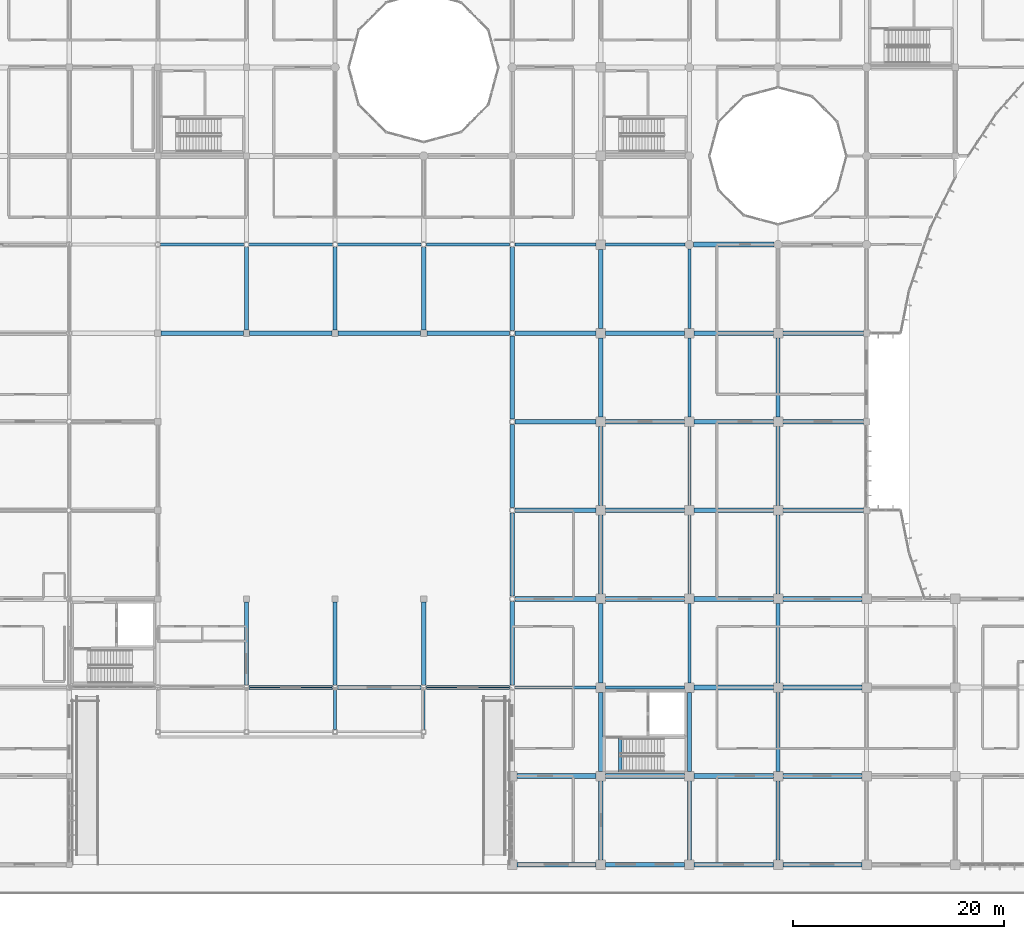
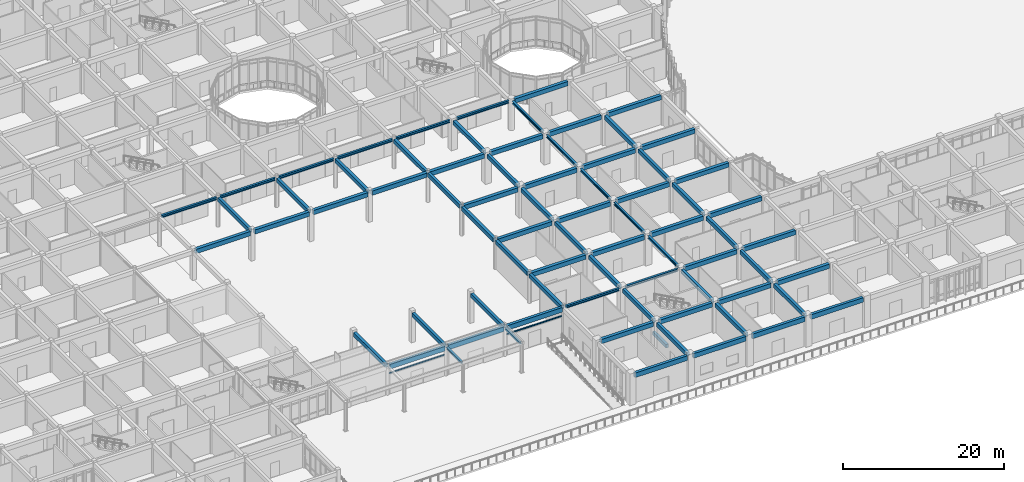
# One storey, part 19 of 138: 78 beams.
"""IFC4 building model written with IfcOpenShell, lengths in metres."""

from ifc_helpers import new_model, si_unit, direction, frame, origin, origin_2d, place, context, subcontext, project, spatial, rectangle, i_section, extrude, material, material_profile, profile_set, type_object, element, save


model = new_model("IFC4")

# Units and contexts
model_context = context("Model", 3, precision=1e-05, world=origin(), true_north=direction((0.0, 1.0)))
body_context = subcontext(model_context, "Body", "Model", "MODEL_VIEW")
ifc_project = project(units=[si_unit("LENGTHUNIT", "METRE"), si_unit("AREAUNIT", "SQUARE_METRE"), si_unit("VOLUMEUNIT", "CUBIC_METRE"), si_unit("PLANEANGLEUNIT", "RADIAN"), si_unit("MASSUNIT", "GRAM", prefix="KILO")], contexts=[model_context])

# Site, building, storey
site_placement = place(None, origin())
site = spatial("IfcSite", under=ifc_project, at=site_placement, CompositionType="ELEMENT")
building_placement = place(site_placement, origin())
building = spatial("IfcBuilding", under=site, at=building_placement, Name="Bramfleet General Hospital", CompositionType="ELEMENT")
storey_placement = place(building_placement, origin())
storey = spatial("IfcBuildingStorey", under=building, at=storey_placement, Name="L00", CompositionType="ELEMENT", Elevation=0.0)

# Beams
ifc_material_1 = material(Name="Steel S355", Category="steel")
ifc_material_profile_1 = material_profile(ifc_material_1, i_section(OverallWidth=0.280029296875, OverallDepth=0.27001953125, WebThickness=0.008056640625, FlangeThickness=0.012939453125, FilletRadius=0.02392578125, at=origin_2d()), Name="HEA 280")
ifc_profile_set_1 = profile_set([ifc_material_profile_1], Name="Steel S355")
beam_type_1 = type_object("IfcBeamType", Name="BM-HEA280", PredefinedType="BEAM", material=ifc_profile_set_1)
for number, where, z_axis, x_axis, name in (
    (1, (75.60009765625, 12.81005859375, 4.2451171875), (0.0, 1.0, 0.0), (-1.0, 0.0, 0.0), "Canopy Outrigger Beam 3"),
    (2, (84.0, 12.81005859375, 4.2451171875), (0.0, 1.0, 0.0), (-1.0, 0.0, 0.0), "Canopy Outrigger Beam 4"),
):
    element("IfcBeam", number, at=place(storey_placement, frame(where, z_axis=z_axis, x_axis=x_axis)), inside=storey, type_object=beam_type_1, Name=name, PredefinedType="BEAM", context=body_context, shape_type="SweptSolid", body=[
        extrude(i_section(OverallWidth=0.280029296875, OverallDepth=0.27001953125, WebThickness=0.008056640625, FlangeThickness=0.012939453125, FilletRadius=0.02392578125, at=origin_2d()), origin(), (0.0, 0.0, 1.0), 3.72998046875),
    ])
ifc_material_profile_2 = material_profile(ifc_material_1, i_section(OverallWidth=0.300048828125, OverallDepth=0.389892578125, WebThickness=0.010986328125, FlangeThickness=0.01904296875, FilletRadius=0.027099609375, at=origin_2d()), Name="HEA 400")
ifc_profile_set_2 = profile_set([ifc_material_profile_2], Name="Steel S355")
beam_type_2 = type_object("IfcBeamType", Name="BM-HEA400", PredefinedType="BEAM", material=ifc_profile_set_2)
beam_1_placement = place(storey_placement, frame((59.053955078125, 58.800048828125, 4.304931640625), z_axis=(1.0, 0.0, 0.0), x_axis=(0.0, 1.0, 0.0)))
element("IfcBeam", 3, at=beam_1_placement, inside=storey, type_object=beam_type_2, Name="L00 Grid Beam X 07-07", PredefinedType="BEAM", context=body_context, shape_type="SweptSolid", body=[
    extrude(i_section(OverallWidth=0.300048828125, OverallDepth=0.389892578125, WebThickness=0.010986328125, FlangeThickness=0.01904296875, FilletRadius=0.027099609375, at=origin_2d()), origin(), (0.0, 0.0, 1.0), 7.89208984375),
])
beam_2_placement = place(storey_placement, frame((67.4541015625, 58.800048828125, 4.304931640625), z_axis=(1.0, 0.0, 0.0), x_axis=(0.0, 1.0, 0.0)))
element("IfcBeam", 4, at=beam_2_placement, inside=storey, type_object=beam_type_2, Name="L00 Grid Beam X 08-07", PredefinedType="BEAM", context=body_context, shape_type="SweptSolid", body=[
    extrude(i_section(OverallWidth=0.300048828125, OverallDepth=0.389892578125, WebThickness=0.010986328125, FlangeThickness=0.01904296875, FilletRadius=0.027099609375, at=origin_2d()), origin(), (0.0, 0.0, 1.0), 7.891845703125),
])
for number, where, z_axis, x_axis, name in (
    (5, (75.85400390625, 58.800048828125, 4.304931640625), (1.0, 0.0, 0.0), (0.0, 1.0, 0.0), "L00 Grid Beam X 09-07"),
    (6, (84.25390625, 58.800048828125, 4.304931640625), (1.0, 0.0, 0.0), (0.0, 1.0, 0.0), "L00 Grid Beam X 10-07"),
):
    element("IfcBeam", number, at=place(storey_placement, frame(where, z_axis=z_axis, x_axis=x_axis)), inside=storey, type_object=beam_type_2, Name=name, PredefinedType="BEAM", context=body_context, shape_type="SweptSolid", body=[
        extrude(i_section(OverallWidth=0.300048828125, OverallDepth=0.389892578125, WebThickness=0.010986328125, FlangeThickness=0.01904296875, FilletRadius=0.027099609375, at=origin_2d()), origin(), (0.0, 0.0, 1.0), 7.89208984375),
    ])
for number, where, z_axis, x_axis, name in (
    (7, (92.654052734375, 16.800048828125, 4.304931640625), (1.0, 0.0, 0.0), (0.0, 1.0, 0.0), "L00 Grid Beam X 11-02"),
    (8, (92.654052734375, 58.800048828125, 4.304931640625), (1.0, 0.0, 0.0), (0.0, 1.0, 0.0), "L00 Grid Beam X 11-07"),
):
    element("IfcBeam", number, at=place(storey_placement, frame(where, z_axis=z_axis, x_axis=x_axis)), inside=storey, type_object=beam_type_2, Name=name, PredefinedType="BEAM", context=body_context, shape_type="SweptSolid", body=[
        extrude(i_section(OverallWidth=0.300048828125, OverallDepth=0.389892578125, WebThickness=0.010986328125, FlangeThickness=0.01904296875, FilletRadius=0.027099609375, at=origin_2d()), origin(), (0.0, 0.0, 1.0), 7.696044921875),
    ])
beam_3_placement = place(storey_placement, frame((101.25, 16.800048828125, 4.304931640625), z_axis=(1.0, 0.0, 0.0), x_axis=(0.0, 1.0, 0.0)))
element("IfcBeam", 9, at=beam_3_placement, inside=storey, type_object=beam_type_2, Name="L00 Grid Beam X 12-02", PredefinedType="BEAM", context=body_context, shape_type="SweptSolid", body=[
    extrude(i_section(OverallWidth=0.300048828125, OverallDepth=0.389892578125, WebThickness=0.010986328125, FlangeThickness=0.01904296875, FilletRadius=0.027099609375, at=origin_2d()), origin(), (0.0, 0.0, 1.0), 7.5),
])
beam_4_placement = place(storey_placement, frame((101.25, 58.800048828125, 4.304931640625), z_axis=(1.0, 0.0, 0.0), x_axis=(0.0, 1.0, 0.0)))
element("IfcBeam", 10, at=beam_4_placement, inside=storey, type_object=beam_type_2, Name="L00 Grid Beam X 12-07", PredefinedType="BEAM", context=body_context, shape_type="SweptSolid", body=[
    extrude(i_section(OverallWidth=0.300048828125, OverallDepth=0.389892578125, WebThickness=0.010986328125, FlangeThickness=0.01904296875, FilletRadius=0.027099609375, at=origin_2d()), origin(), (0.0, 0.0, 1.0), 7.550048828125),
])
ifc_material_profile_3 = material_profile(ifc_material_1, i_section(OverallWidth=0.300048828125, OverallDepth=0.39990234375, WebThickness=0.013427734375, FlangeThickness=0.02392578125, FilletRadius=0.027099609375, at=origin_2d()), Name="HEB 400")
ifc_profile_set_3 = profile_set([ifc_material_profile_3], Name="Steel S355")
beam_type_3 = type_object("IfcBeamType", Name="BM-HEB400", PredefinedType="BEAM", material=ifc_profile_set_3)
for number, where, z_axis, x_axis, name in (
    (11, (109.199951171875, 17.25, 4.300048828125), (0.0, 1.0, 0.0), (-1.0, 0.0, 0.0), "L00 Grid Beam Y 13-02"),
    (12, (109.199951171875, 25.64990234375, 4.300048828125), (0.0, 1.0, 0.0), (-1.0, 0.0, 0.0), "L00 Grid Beam Y 13-03"),
    (13, (109.199951171875, 34.050048828125, 4.300048828125), (0.0, 1.0, 0.0), (-1.0, 0.0, 0.0), "L00 Grid Beam Y 13-04"),
    (14, (109.199951171875, 42.449951171875, 4.300048828125), (0.0, 1.0, 0.0), (-1.0, 0.0, 0.0), "L00 Grid Beam Y 13-05"),
):
    element("IfcBeam", number, at=place(storey_placement, frame(where, z_axis=z_axis, x_axis=x_axis)), inside=storey, type_object=beam_type_3, Name=name, PredefinedType="BEAM", context=body_context, shape_type="SweptSolid", body=[
        extrude(i_section(OverallWidth=0.300048828125, OverallDepth=0.39990234375, WebThickness=0.013427734375, FlangeThickness=0.02392578125, FilletRadius=0.027099609375, at=origin_2d()), origin(), (0.0, 0.0, 1.0), 7.5),
    ])
beam_5_placement = place(storey_placement, frame((109.199951171875, 50.85009765625, 4.300048828125), z_axis=(0.0, 1.0, 0.0), x_axis=(-1.0, 0.0, 0.0)))
element("IfcBeam", 15, at=beam_5_placement, inside=storey, type_object=beam_type_3, Name="L00 Grid Beam Y 13-06", PredefinedType="BEAM", context=body_context, shape_type="SweptSolid", body=[
    extrude(i_section(OverallWidth=0.300048828125, OverallDepth=0.39990234375, WebThickness=0.013427734375, FlangeThickness=0.02392578125, FilletRadius=0.027099609375, at=origin_2d()), origin(), (0.0, 0.0, 1.0), 7.5498046875),
])
ifc_material_profile_4 = material_profile(ifc_material_1, i_section(OverallWidth=0.10009765625, OverallDepth=0.199951171875, WebThickness=0.005615234375, FlangeThickness=0.008544921875, FilletRadius=0.011962890625, at=origin_2d()), Name="IPE 200")
ifc_profile_set_4 = profile_set([ifc_material_profile_4], Name="Steel S355")
beam_type_4 = type_object("IfcBeamType", Name="BM-IPE200", PredefinedType="LINTEL", material=ifc_profile_set_4)
for number, where, z_axis, x_axis, name in (
    (16, (67.39990234375, 16.800048828125, 3.10009765625), (1.0, 0.0, 0.0), (0.0, 1.0, 0.0), "Portal Opening Lintel LN-L00-ENT-1"),
    (17, (84.199951171875, 16.800048828125, 3.10009765625), (1.0, 0.0, 0.0), (0.0, 1.0, 0.0), "Portal Opening Lintel LN-L00-ENT-2"),
):
    element("IfcBeam", number, at=place(storey_placement, frame(where, z_axis=z_axis, x_axis=x_axis)), inside=storey, type_object=beam_type_4, Name=name, PredefinedType="LINTEL", context=body_context, shape_type="SweptSolid", body=[
        extrude(i_section(OverallWidth=0.10009765625, OverallDepth=0.199951171875, WebThickness=0.005615234375, FlangeThickness=0.008544921875, FilletRadius=0.011962890625, at=origin_2d()), origin(), (0.0, 0.0, 1.0), 8.0),
    ])
ifc_material_2 = material(Name="Concrete C35/45", Category="concrete")
ifc_material_profile_5 = material_profile(ifc_material_2, rectangle(XDim=0.35009765625, YDim=0.550048828125, at=origin_2d()), Name="RC BM 550x350")
ifc_profile_set_5 = profile_set([ifc_material_profile_5], Name="Concrete C35/45")
beam_type_5 = type_object("IfcBeamType", Name="BM-RC550", PredefinedType="BEAM", material=ifc_profile_set_5)
beam_6_placement = place(storey_placement, frame((102.639892578125, 8.780029296875, -0.27490234375), z_axis=(0.0, 1.0, 0.0), x_axis=(-1.0, 0.0, 0.0)))
element("IfcBeam", 18, at=beam_6_placement, inside=storey, type_object=beam_type_5, Name="L00 C3 Stairwell Trimmer Beam", PredefinedType="BEAM", context=body_context, shape_type="SweptSolid", body=[
    extrude(rectangle(XDim=0.35009765625, YDim=0.550048828125, at=origin_2d()), origin(), (0.0, 0.0, 1.0), 3.320068359375),
])
ifc_material_profile_6 = material_profile(ifc_material_2, rectangle(XDim=0.39990234375, YDim=0.60009765625, at=origin_2d()), Name="RC BM 600x400")
ifc_profile_set_6 = profile_set([ifc_material_profile_6], Name="Concrete C35/45")
beam_type_6 = type_object("IfcBeamType", Name="BM-RC600", PredefinedType="BEAM", material=ifc_profile_set_6)
for number, where, z_axis, x_axis, name in (
    (19, (67.199951171875, 17.053955078125, 4.199951171875), (0.0, 1.0, 0.0), (-1.0, 0.0, 0.0), "L00 Grid Beam Y 08-02"),
    (20, (67.199951171875, 50.699951171875, 4.199951171875), (0.0, 1.0, 0.0), (-1.0, 0.0, 0.0), "L00 Grid Beam Y 08-06"),
    (21, (75.60009765625, 17.053955078125, 4.199951171875), (0.0, 1.0, 0.0), (-1.0, 0.0, 0.0), "L00 Grid Beam Y 09-02"),
    (22, (75.60009765625, 50.699951171875, 4.199951171875), (0.0, 1.0, 0.0), (-1.0, 0.0, 0.0), "L00 Grid Beam Y 09-06"),
    (23, (84.0, 17.053955078125, 4.199951171875), (0.0, 1.0, 0.0), (-1.0, 0.0, 0.0), "L00 Grid Beam Y 10-02"),
    (24, (84.0, 50.699951171875, 4.199951171875), (0.0, 1.0, 0.0), (-1.0, 0.0, 0.0), "L00 Grid Beam Y 10-06"),
):
    element("IfcBeam", number, at=place(storey_placement, frame(where, z_axis=z_axis, x_axis=x_axis)), inside=storey, type_object=beam_type_6, Name=name, PredefinedType="BEAM", context=body_context, shape_type="SweptSolid", body=[
        extrude(rectangle(XDim=0.39990234375, YDim=0.60009765625, at=origin_2d()), origin(), (0.0, 0.0, 1.0), 7.845947265625),
    ])
beam_7_placement = place(storey_placement, frame((92.39990234375, 17.053955078125, 4.199951171875), z_axis=(0.0, 1.0, 0.0), x_axis=(-1.0, 0.0, 0.0)))
element("IfcBeam", 25, at=beam_7_placement, inside=storey, type_object=beam_type_6, Name="L00 Grid Beam Y 11-02", PredefinedType="BEAM", context=body_context, shape_type="SweptSolid", body=[
    extrude(rectangle(XDim=0.39990234375, YDim=0.60009765625, at=origin_2d()), origin(), (0.0, 0.0, 1.0), 7.89208984375),
])
beam_8_placement = place(storey_placement, frame((92.39990234375, 25.4541015625, 4.199951171875), z_axis=(0.0, 1.0, 0.0), x_axis=(-1.0, 0.0, 0.0)))
element("IfcBeam", 26, at=beam_8_placement, inside=storey, type_object=beam_type_6, Name="L00 Grid Beam Y 11-03", PredefinedType="BEAM", context=body_context, shape_type="SweptSolid", body=[
    extrude(rectangle(XDim=0.39990234375, YDim=0.60009765625, at=origin_2d()), origin(), (0.0, 0.0, 1.0), 7.891845703125),
])
for number, where, z_axis, x_axis, name in (
    (27, (92.39990234375, 33.85400390625, 4.199951171875), (0.0, 1.0, 0.0), (-1.0, 0.0, 0.0), "L00 Grid Beam Y 11-04"),
    (28, (92.39990234375, 42.25390625, 4.199951171875), (0.0, 1.0, 0.0), (-1.0, 0.0, 0.0), "L00 Grid Beam Y 11-05"),
):
    element("IfcBeam", number, at=place(storey_placement, frame(where, z_axis=z_axis, x_axis=x_axis)), inside=storey, type_object=beam_type_6, Name=name, PredefinedType="BEAM", context=body_context, shape_type="SweptSolid", body=[
        extrude(rectangle(XDim=0.39990234375, YDim=0.60009765625, at=origin_2d()), origin(), (0.0, 0.0, 1.0), 7.89208984375),
    ])
beam_9_placement = place(storey_placement, frame((92.39990234375, 50.654052734375, 4.199951171875), z_axis=(0.0, 1.0, 0.0), x_axis=(-1.0, 0.0, 0.0)))
element("IfcBeam", 29, at=beam_9_placement, inside=storey, type_object=beam_type_6, Name="L00 Grid Beam Y 11-06", PredefinedType="BEAM", context=body_context, shape_type="SweptSolid", body=[
    extrude(rectangle(XDim=0.39990234375, YDim=0.60009765625, at=origin_2d()), origin(), (0.0, 0.0, 1.0), 7.891845703125),
])
for number, where, z_axis, x_axis, name in (
    (30, (100.800048828125, 0.449951171875, 4.199951171875), (0.0, 1.0, 0.0), (-1.0, 0.0, 0.0), "L00 Grid Beam Y 12-00"),
    (31, (100.800048828125, 8.85009765625, 4.199951171875), (0.0, 1.0, 0.0), (-1.0, 0.0, 0.0), "L00 Grid Beam Y 12-01"),
    (32, (100.800048828125, 17.25, 4.199951171875), (0.0, 1.0, 0.0), (-1.0, 0.0, 0.0), "L00 Grid Beam Y 12-02"),
    (33, (100.800048828125, 25.64990234375, 4.199951171875), (0.0, 1.0, 0.0), (-1.0, 0.0, 0.0), "L00 Grid Beam Y 12-03"),
    (34, (100.800048828125, 34.050048828125, 4.199951171875), (0.0, 1.0, 0.0), (-1.0, 0.0, 0.0), "L00 Grid Beam Y 12-04"),
    (35, (100.800048828125, 42.449951171875, 4.199951171875), (0.0, 1.0, 0.0), (-1.0, 0.0, 0.0), "L00 Grid Beam Y 12-05"),
    (36, (100.800048828125, 50.85009765625, 4.199951171875), (0.0, 1.0, 0.0), (-1.0, 0.0, 0.0), "L00 Grid Beam Y 12-06"),
    (37, (109.199951171875, 0.449951171875, 4.199951171875), (0.0, 1.0, 0.0), (-1.0, 0.0, 0.0), "L00 Grid Beam Y 13-00"),
    (38, (109.199951171875, 8.85009765625, 4.199951171875), (0.0, 1.0, 0.0), (-1.0, 0.0, 0.0), "L00 Grid Beam Y 13-01"),
    (39, (117.60009765625, 0.449951171875, 4.199951171875), (0.0, 1.0, 0.0), (-1.0, 0.0, 0.0), "L00 Grid Beam Y 14-00"),
    (40, (117.60009765625, 8.85009765625, 4.199951171875), (0.0, 1.0, 0.0), (-1.0, 0.0, 0.0), "L00 Grid Beam Y 14-01"),
    (41, (117.60009765625, 17.25, 4.199951171875), (0.0, 1.0, 0.0), (-1.0, 0.0, 0.0), "L00 Grid Beam Y 14-02"),
    (42, (117.60009765625, 25.64990234375, 4.199951171875), (0.0, 1.0, 0.0), (-1.0, 0.0, 0.0), "L00 Grid Beam Y 14-03"),
    (43, (117.60009765625, 34.050048828125, 4.199951171875), (0.0, 1.0, 0.0), (-1.0, 0.0, 0.0), "L00 Grid Beam Y 14-04"),
    (44, (117.60009765625, 42.449951171875, 4.199951171875), (0.0, 1.0, 0.0), (-1.0, 0.0, 0.0), "L00 Grid Beam Y 14-05"),
):
    element("IfcBeam", number, at=place(storey_placement, frame(where, z_axis=z_axis, x_axis=x_axis)), inside=storey, type_object=beam_type_6, Name=name, PredefinedType="BEAM", context=body_context, shape_type="SweptSolid", body=[
        extrude(rectangle(XDim=0.39990234375, YDim=0.60009765625, at=origin_2d()), origin(), (0.0, 0.0, 1.0), 7.5),
    ])
ifc_material_profile_7 = material_profile(ifc_material_2, rectangle(XDim=0.449951171875, YDim=0.64990234375, at=origin_2d()), Name="RC BM 650x450")
ifc_profile_set_7 = profile_set([ifc_material_profile_7], Name="Concrete C35/45")
beam_type_7 = type_object("IfcBeamType", Name="BM-RC650", PredefinedType="BEAM", material=ifc_profile_set_7)
beam_10_placement = place(storey_placement, frame((59.10009765625, 50.39990234375, 4.175048828125), z_axis=(1.0, 0.0, 0.0), x_axis=(0.0, 1.0, 0.0)))
element("IfcBeam", 45, at=beam_10_placement, inside=storey, type_object=beam_type_7, Name="L00 Grid Beam X 07-06", PredefinedType="BEAM", context=body_context, shape_type="SweptSolid", body=[
    extrude(rectangle(XDim=0.449951171875, YDim=0.64990234375, at=origin_2d()), origin(), (0.0, 0.0, 1.0), 7.7998046875),
])
for number, where, z_axis, x_axis, name in (
    (46, (67.5, 50.39990234375, 4.175048828125), (1.0, 0.0, 0.0), (0.0, 1.0, 0.0), "L00 Grid Beam X 08-06"),
    (47, (75.89990234375, 50.39990234375, 4.175048828125), (1.0, 0.0, 0.0), (0.0, 1.0, 0.0), "L00 Grid Beam X 09-06"),
):
    element("IfcBeam", number, at=place(storey_placement, frame(where, z_axis=z_axis, x_axis=x_axis)), inside=storey, type_object=beam_type_7, Name=name, PredefinedType="BEAM", context=body_context, shape_type="SweptSolid", body=[
        extrude(rectangle(XDim=0.449951171875, YDim=0.64990234375, at=origin_2d()), origin(), (0.0, 0.0, 1.0), 7.800048828125),
    ])
beam_11_placement = place(storey_placement, frame((84.300048828125, 50.39990234375, 4.175048828125), z_axis=(1.0, 0.0, 0.0), x_axis=(0.0, 1.0, 0.0)))
element("IfcBeam", 48, at=beam_11_placement, inside=storey, type_object=beam_type_7, Name="L00 Grid Beam X 10-06", PredefinedType="BEAM", context=body_context, shape_type="SweptSolid", body=[
    extrude(rectangle(XDim=0.449951171875, YDim=0.64990234375, at=origin_2d()), origin(), (0.0, 0.0, 1.0), 7.845947265625),
])
beam_12_placement = place(storey_placement, frame((92.85009765625, 8.39990234375, 4.175048828125), z_axis=(1.0, 0.0, 0.0), x_axis=(0.0, 1.0, 0.0)))
element("IfcBeam", 49, at=beam_12_placement, inside=storey, type_object=beam_type_7, Name="L00 Grid Beam X 11-01", PredefinedType="BEAM", context=body_context, shape_type="SweptSolid", body=[
    extrude(rectangle(XDim=0.449951171875, YDim=0.64990234375, at=origin_2d()), origin(), (0.0, 0.0, 1.0), 7.5),
])
for number, where, z_axis, x_axis, name in (
    (50, (92.654052734375, 25.199951171875, 4.175048828125), (1.0, 0.0, 0.0), (0.0, 1.0, 0.0), "L00 Grid Beam X 11-03"),
    (51, (92.654052734375, 33.60009765625, 4.175048828125), (1.0, 0.0, 0.0), (0.0, 1.0, 0.0), "L00 Grid Beam X 11-04"),
    (52, (92.654052734375, 42.0, 4.175048828125), (1.0, 0.0, 0.0), (0.0, 1.0, 0.0), "L00 Grid Beam X 11-05"),
    (53, (92.654052734375, 50.39990234375, 4.175048828125), (1.0, 0.0, 0.0), (0.0, 1.0, 0.0), "L00 Grid Beam X 11-06"),
):
    element("IfcBeam", number, at=place(storey_placement, frame(where, z_axis=z_axis, x_axis=x_axis)), inside=storey, type_object=beam_type_7, Name=name, PredefinedType="BEAM", context=body_context, shape_type="SweptSolid", body=[
        extrude(rectangle(XDim=0.449951171875, YDim=0.64990234375, at=origin_2d()), origin(), (0.0, 0.0, 1.0), 7.696044921875),
    ])
for number, where, z_axis, x_axis, name in (
    (54, (101.25, 8.39990234375, 4.175048828125), (1.0, 0.0, 0.0), (0.0, 1.0, 0.0), "L00 Grid Beam X 12-01"),
    (55, (101.25, 25.199951171875, 4.175048828125), (1.0, 0.0, 0.0), (0.0, 1.0, 0.0), "L00 Grid Beam X 12-03"),
    (56, (101.25, 33.60009765625, 4.175048828125), (1.0, 0.0, 0.0), (0.0, 1.0, 0.0), "L00 Grid Beam X 12-04"),
    (57, (101.25, 42.0, 4.175048828125), (1.0, 0.0, 0.0), (0.0, 1.0, 0.0), "L00 Grid Beam X 12-05"),
    (58, (101.25, 50.39990234375, 4.175048828125), (1.0, 0.0, 0.0), (0.0, 1.0, 0.0), "L00 Grid Beam X 12-06"),
    (59, (109.64990234375, 8.39990234375, 4.175048828125), (1.0, 0.0, 0.0), (0.0, 1.0, 0.0), "L00 Grid Beam X 13-01"),
    (60, (109.64990234375, 16.800048828125, 4.175048828125), (1.0, 0.0, 0.0), (0.0, 1.0, 0.0), "L00 Grid Beam X 13-02"),
    (61, (109.64990234375, 25.199951171875, 4.175048828125), (1.0, 0.0, 0.0), (0.0, 1.0, 0.0), "L00 Grid Beam X 13-03"),
    (62, (109.64990234375, 33.60009765625, 4.175048828125), (1.0, 0.0, 0.0), (0.0, 1.0, 0.0), "L00 Grid Beam X 13-04"),
    (63, (109.64990234375, 42.0, 4.175048828125), (1.0, 0.0, 0.0), (0.0, 1.0, 0.0), "L00 Grid Beam X 13-05"),
    (64, (109.64990234375, 50.39990234375, 4.175048828125), (1.0, 0.0, 0.0), (0.0, 1.0, 0.0), "L00 Grid Beam X 13-06"),
):
    element("IfcBeam", number, at=place(storey_placement, frame(where, z_axis=z_axis, x_axis=x_axis)), inside=storey, type_object=beam_type_7, Name=name, PredefinedType="BEAM", context=body_context, shape_type="SweptSolid", body=[
        extrude(rectangle(XDim=0.449951171875, YDim=0.64990234375, at=origin_2d()), origin(), (0.0, 0.0, 1.0), 7.5),
    ])
beam_13_placement = place(storey_placement, frame((109.60009765625, 58.800048828125, 4.175048828125), z_axis=(1.0, 0.0, 0.0), x_axis=(0.0, 1.0, 0.0)))
element("IfcBeam", 65, at=beam_13_placement, inside=storey, type_object=beam_type_7, Name="L00 Grid Beam X 13-07", PredefinedType="BEAM", context=body_context, shape_type="SweptSolid", body=[
    extrude(rectangle(XDim=0.449951171875, YDim=0.64990234375, at=origin_2d()), origin(), (0.0, 0.0, 1.0), 7.599853515625),
])
for number, where, z_axis, x_axis, name in (
    (66, (118.050048828125, 8.39990234375, 4.175048828125), (1.0, 0.0, 0.0), (0.0, 1.0, 0.0), "L00 Grid Beam X 14-01"),
    (67, (118.050048828125, 16.800048828125, 4.175048828125), (1.0, 0.0, 0.0), (0.0, 1.0, 0.0), "L00 Grid Beam X 14-02"),
    (68, (118.050048828125, 25.199951171875, 4.175048828125), (1.0, 0.0, 0.0), (0.0, 1.0, 0.0), "L00 Grid Beam X 14-03"),
):
    element("IfcBeam", number, at=place(storey_placement, frame(where, z_axis=z_axis, x_axis=x_axis)), inside=storey, type_object=beam_type_7, Name=name, PredefinedType="BEAM", context=body_context, shape_type="SweptSolid", body=[
        extrude(rectangle(XDim=0.449951171875, YDim=0.64990234375, at=origin_2d()), origin(), (0.0, 0.0, 1.0), 7.5),
    ])
for number, where, z_axis, x_axis, name in (
    (69, (118.050048828125, 33.60009765625, 4.175048828125), (1.0, 0.0, 0.0), (0.0, 1.0, 0.0), "L00 Grid Beam X 14-04"),
    (70, (118.050048828125, 42.0, 4.175048828125), (1.0, 0.0, 0.0), (0.0, 1.0, 0.0), "L00 Grid Beam X 14-05"),
    (71, (118.050048828125, 50.39990234375, 4.175048828125), (1.0, 0.0, 0.0), (0.0, 1.0, 0.0), "L00 Grid Beam X 14-06"),
):
    element("IfcBeam", number, at=place(storey_placement, frame(where, z_axis=z_axis, x_axis=x_axis)), inside=storey, type_object=beam_type_7, Name=name, PredefinedType="BEAM", context=body_context, shape_type="SweptSolid", body=[
        extrude(rectangle(XDim=0.449951171875, YDim=0.64990234375, at=origin_2d()), origin(), (0.0, 0.0, 1.0), 7.64990234375),
    ])
ifc_material_profile_8 = material_profile(ifc_material_2, rectangle(XDim=0.39990234375, YDim=0.699951171875, at=origin_2d()), Name="RC SP 700x400")
ifc_profile_set_8 = profile_set([ifc_material_profile_8], Name="Concrete C35/45")
beam_type_8 = type_object("IfcBeamType", Name="BM-SP700", PredefinedType="SPANDREL", material=ifc_profile_set_8)
beam_14_placement = place(storey_placement, frame((67.4541015625, 16.800048828125, 4.14990234375), z_axis=(1.0, 0.0, 0.0), x_axis=(0.0, 1.0, 0.0)))
element("IfcBeam", 72, at=beam_14_placement, inside=storey, type_object=beam_type_8, Name="L00 Grid Beam X 08-02", PredefinedType="SPANDREL", context=body_context, shape_type="SweptSolid", body=[
    extrude(rectangle(XDim=0.39990234375, YDim=0.699951171875, at=origin_2d()), origin(), (0.0, 0.0, 1.0), 7.891845703125),
])
for number, where, z_axis, x_axis, name in (
    (73, (75.85400390625, 16.800048828125, 4.14990234375), (1.0, 0.0, 0.0), (0.0, 1.0, 0.0), "L00 Grid Beam X 09-02"),
    (74, (84.25390625, 16.800048828125, 4.14990234375), (1.0, 0.0, 0.0), (0.0, 1.0, 0.0), "L00 Grid Beam X 10-02"),
):
    element("IfcBeam", number, at=place(storey_placement, frame(where, z_axis=z_axis, x_axis=x_axis)), inside=storey, type_object=beam_type_8, Name=name, PredefinedType="SPANDREL", context=body_context, shape_type="SweptSolid", body=[
        extrude(rectangle(XDim=0.39990234375, YDim=0.699951171875, at=origin_2d()), origin(), (0.0, 0.0, 1.0), 7.89208984375),
    ])
for number, where, z_axis, x_axis, name in (
    (75, (92.85009765625, 0.0, 4.14990234375), (1.0, 0.0, 0.0), (0.0, 1.0, 0.0), "L00 Grid Beam X 11-00"),
    (76, (101.25, 0.0, 4.14990234375), (1.0, 0.0, 0.0), (0.0, 1.0, 0.0), "L00 Grid Beam X 12-00"),
    (77, (109.64990234375, 0.0, 4.14990234375), (1.0, 0.0, 0.0), (0.0, 1.0, 0.0), "L00 Grid Beam X 13-00"),
    (78, (118.050048828125, 0.0, 4.14990234375), (1.0, 0.0, 0.0), (0.0, 1.0, 0.0), "L00 Grid Beam X 14-00"),
):
    element("IfcBeam", number, at=place(storey_placement, frame(where, z_axis=z_axis, x_axis=x_axis)), inside=storey, type_object=beam_type_8, Name=name, PredefinedType="SPANDREL", context=body_context, shape_type="SweptSolid", body=[
        extrude(rectangle(XDim=0.39990234375, YDim=0.699951171875, at=origin_2d()), origin(), (0.0, 0.0, 1.0), 7.5),
    ])

save(model, "model.ifc")
